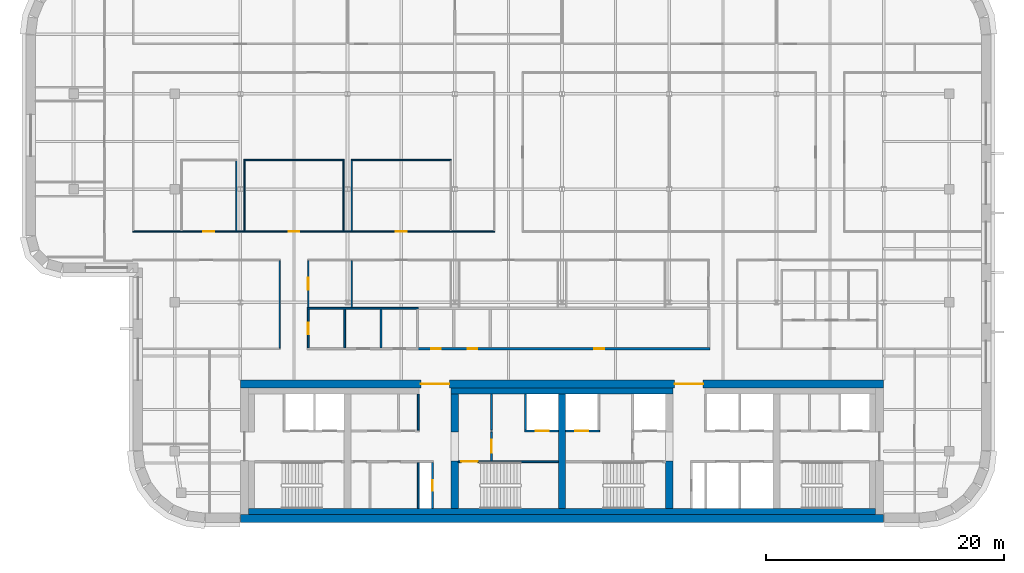
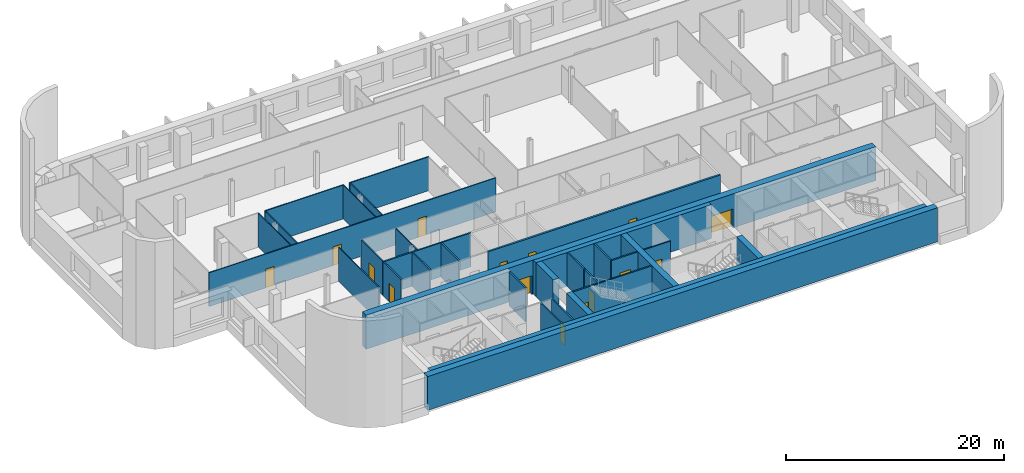
# One storey, part 8 of 17: 32 walls, 15 doors, 15 openings.
"""IFC4 building model written with IfcOpenShell, lengths in metres."""

from ifc_helpers import new_model, si_unit, direction, frame, frame_2d, origin, place, context, subcontext, project, spatial, rectangle, extrude, material, layer, layer_set, type_object, element, fill, save


model = new_model("IFC4")

# Units and contexts
model_context = context("Model", 3, precision=1e-05, world=origin(), true_north=direction((0.0, 1.0)))
body_context = subcontext(model_context, "Body", "Model", "MODEL_VIEW")
ifc_project = project(units=[si_unit("LENGTHUNIT", "METRE"), si_unit("AREAUNIT", "SQUARE_METRE"), si_unit("VOLUMEUNIT", "CUBIC_METRE"), si_unit("PLANEANGLEUNIT", "RADIAN"), si_unit("MASSUNIT", "GRAM", prefix="KILO")], contexts=[model_context])

# Site, building, storey
site_placement = place(None, origin())
site = spatial("IfcSite", under=ifc_project, at=site_placement, CompositionType="ELEMENT")
building_placement = place(site_placement, origin())
building = spatial("IfcBuilding", under=site, at=building_placement, Name="Zellij Exchange Tower", CompositionType="ELEMENT")
storey_placement = place(building_placement, frame((0.0, 0.0, 232.5)))
storey = spatial("IfcBuildingStorey", under=building, at=storey_placement, Name="L54", CompositionType="ELEMENT", Elevation=232.5)

# Walls
ifc_material_1 = material(Name="Concrete C50/60", Category="concrete")
ifc_layer_1 = layer(ifc_material_1, 0.60009765625)
ifc_layer_set_1 = layer_set([ifc_layer_1], Name="Concrete C50/60")
wall_type_1 = type_object("IfcWallType", Name="CORE-CW 600 C50/60", PredefinedType="SHEAR", material=ifc_layer_set_1)
wall_1_placement = place(storey_placement, frame((-9.0, -12.800048828125, 0.0), z_axis=(0.0, 0.0, 1.0), x_axis=(0.0, 1.0, 0.0)))
element("IfcWall", 1, at=wall_1_placement, inside=storey, type_object=wall_type_1, Name="Core cross wall pier x -9 a L54", PredefinedType="SHEAR", context=body_context, shape_type="SweptSolid", body=[
    extrude(rectangle(XDim=4.0, YDim=0.60009765625, at=frame_2d((2.0, 0.0))), origin(), (0.0, 0.0, 1.0), 3.800048828125),
])
wall_2_placement = place(storey_placement, frame((-9.0, -6.375, 0.0), z_axis=(0.0, 0.0, 1.0), x_axis=(0.0, 1.0, 0.0)))
element("IfcWall", 2, at=wall_2_placement, inside=storey, type_object=wall_type_1, Name="Core cross wall pier x -9 b L54", PredefinedType="SHEAR", context=body_context, shape_type="SweptSolid", body=[
    extrude(rectangle(XDim=3.175048828125, YDim=0.60009765625, at=frame_2d((1.58740234375, 0.0))), origin(), (0.0, 0.0, 1.0), 3.800048828125),
])
wall_3_placement = place(storey_placement, frame((0.0, -12.800048828125, 0.0), z_axis=(0.0, 0.0, 1.0), x_axis=(0.0, 1.0, 0.0)))
element("IfcWall", 3, at=wall_3_placement, inside=storey, type_object=wall_type_1, Name="Core cross wall x 0 L54", PredefinedType="SHEAR", context=body_context, shape_type="SweptSolid", body=[
    extrude(rectangle(XDim=9.60009765625, YDim=0.60009765625, at=frame_2d((4.800048828125, 0.0))), origin(), (0.0, 0.0, 1.0), 3.800048828125),
])
wall_4_placement = place(storey_placement, frame((9.0, -12.800048828125, 0.0), z_axis=(0.0, 0.0, 1.0), x_axis=(0.0, 1.0, 0.0)))
element("IfcWall", 4, at=wall_4_placement, inside=storey, type_object=wall_type_1, Name="Core cross wall pier x 9 a L54", PredefinedType="SHEAR", context=body_context, shape_type="SweptSolid", body=[
    extrude(rectangle(XDim=4.0, YDim=0.60009765625, at=frame_2d((2.0, 0.0))), origin(), (0.0, 0.0, 1.0), 3.800048828125),
])
ifc_material_2 = material(Name="Concrete C30/37", Category="concrete")
ifc_layer_2 = layer(ifc_material_2, 0.5)
ifc_layer_set_2 = layer_set([ifc_layer_2], Name="Concrete C30/37")
wall_type_2 = type_object("IfcWallType", Name="CORE-LW 500 C30/37", PredefinedType="SHEAR", material=ifc_layer_set_2)
wall_5_placement = place(storey_placement, frame((-9.300048828125, -2.949951171875, 0.0), z_axis=(0.0, 0.0, 1.0), x_axis=(1.0, 0.0, 0.0)))
element("IfcWall", 5, at=wall_5_placement, inside=storey, type_object=wall_type_2, Name="Core wall lining front.1 L54", PredefinedType="SHEAR", context=body_context, shape_type="SweptSolid", body=[
    extrude(rectangle(XDim=18.60009765625, YDim=0.5, at=frame_2d((9.300048828125, 0.0))), origin(), (0.0, 0.0, 1.0), 3.800048828125),
])
wall_6_placement = place(storey_placement, frame((-26.300048828125, -13.050048828125, 0.0), z_axis=(0.0, 0.0, 1.0), x_axis=(1.0, 0.0, 0.0)))
element("IfcWall", 6, at=wall_6_placement, inside=storey, type_object=wall_type_2, Name="Core wall lining rear.0 L54", PredefinedType="SHEAR", context=body_context, shape_type="SweptSolid", body=[
    extrude(rectangle(XDim=52.60009765625, YDim=0.5, at=frame_2d((26.300048828125, 0.0))), origin(), (0.0, 0.0, 1.0), 3.800048828125),
])

# Wall, opening, door
ifc_material_3 = material(Name="Gypsum shaft wall system")
ifc_layer_3 = layer(ifc_material_3, 0.14990234375)
ifc_layer_set_3 = layer_set([ifc_layer_3], Name="Gypsum shaft wall system")
wall_type_3 = type_object("IfcWallType", Name="CORE-PW 150 Firefighting lobby wall", PredefinedType="PARTITIONING", material=ifc_layer_set_3)
wall_7_placement = place(storey_placement, frame((-5.925048828125, -8.800048828125, 0.0), z_axis=(0.0, 0.0, 1.0), x_axis=(0.0, 1.0, 0.0)))
wall_7 = element("IfcWall", 7, at=wall_7_placement, inside=storey, type_object=wall_type_3, Name="Firefighting lobby wall L54", PredefinedType="PARTITIONING", context=body_context, shape_type="SweptSolid", body=[
    extrude(rectangle(XDim=2.425048828125, YDim=0.14990234375, at=frame_2d((1.21240234375, 0.0))), origin(), (0.0, 0.0, 1.0), 3.800048828125),
])
opening_1_placement = place(wall_7_placement, frame((0.662109375, 0.0, 0.0)))
opening_1 = element("IfcOpeningElement", 8, at=opening_1_placement, cuts=wall_7, Name="Opening CA-29.12", PredefinedType="OPENING", context=body_context, shape_type="SweptSolid", body=[
    extrude(rectangle(XDim=1.10009765625, YDim=2.10009765625, at=frame_2d((0.550048828125, 1.050048828125))), frame((0.0, 0.0869140625, 0.0), z_axis=(0.0, -1.0, 0.0), x_axis=(1.0, 0.0, 0.0)), (0.0, 0.0, 1.0), 0.173828125),
])
ifc_material_4 = material(Name="Hollow metal fire door")
door_type_1 = type_object("IfcDoorType", Name="CORE-D F Firefighting lobby door 1100x2100 1 HR", OperationType="NOTDEFINED", PredefinedType="DOOR", material=ifc_material_4)
door_1_placement = place(opening_1_placement, origin())
door_1 = element("IfcDoor", 9, at=door_1_placement, inside=storey, type_object=door_type_1, Name="Firefighting lobby door CA-29.12", OperationType="SINGLE_SWING_LEFT", OverallHeight=2.10009765625, OverallWidth=1.10009765625, PredefinedType="DOOR", context=body_context, shape_type="SweptSolid", body=[
    extrude(rectangle(XDim=1.10009765625, YDim=2.10009765625, at=frame_2d((0.550048828125, 1.050048828125))), frame((0.0, 0.02490234375, 0.0), z_axis=(0.0, -1.0, 0.0), x_axis=(1.0, 0.0, 0.0)), (0.0, 0.0, 1.0), 0.050048828125),
])
fill(opening_1, door_1)

# Walls
ifc_material_5 = material(Name="Gypsum board partition")
ifc_layer_4 = layer(ifc_material_5, 0.14990234375)
ifc_layer_set_4 = layer_set([ifc_layer_4], Name="Gypsum board partition")
wall_type_4 = type_object("IfcWallType", Name="CORE-PW 150 Lift lobby wall", PredefinedType="PARTITIONING", material=ifc_layer_set_4)
for number, where, z_axis, x_axis, name in (
    (10, (-12.074951171875, -6.22509765625, 0.0), (0.0, 0.0, 1.0), (0.0, 1.0, 0.0), "Lift lobby wall L54"),
    (11, (-5.925048828125, -6.22509765625, 0.0), (0.0, 0.0, 1.0), (0.0, 1.0, 0.0), "Lift lobby wall L54"),
):
    element("IfcWall", number, at=place(storey_placement, frame(where, z_axis=z_axis, x_axis=x_axis)), inside=storey, type_object=wall_type_4, Name=name, PredefinedType="PARTITIONING", context=body_context, shape_type="SweptSolid", body=[
        extrude(rectangle(XDim=3.025146484375, YDim=0.14990234375, at=frame_2d((1.5126953125, 0.0))), origin(), (0.0, 0.0, 1.0), 3.800048828125),
    ])

# Wall, opening, door
wall_8_placement = place(storey_placement, frame((-10.875, -12.800048828125, 0.0), z_axis=(0.0, 0.0, 1.0), x_axis=(0.0, 1.0, 0.0)))
wall_8 = element("IfcWall", 12, at=wall_8_placement, inside=storey, type_object=wall_type_4, Name="Lift lobby wall L54", PredefinedType="PARTITIONING", context=body_context, shape_type="SweptSolid", body=[
    extrude(rectangle(XDim=3.85009765625, YDim=0.14990234375, at=frame_2d((1.925048828125, 0.0))), origin(), (0.0, 0.0, 1.0), 3.800048828125),
])
opening_2_placement = place(wall_8_placement, frame((1.47509765625, 0.0, 0.0)))
opening_2 = element("IfcOpeningElement", 13, at=opening_2_placement, cuts=wall_8, Name="Opening CA-29.09", PredefinedType="OPENING", context=body_context, shape_type="SweptSolid", body=[
    extrude(rectangle(XDim=0.89990234375, YDim=2.10009765625, at=frame_2d((0.449951171875, 1.050048828125))), frame((0.0, 0.0869140625, 0.0), z_axis=(0.0, -1.0, 0.0), x_axis=(1.0, 0.0, 0.0)), (0.0, 0.0, 1.0), 0.173828125),
])
door_type_2 = type_object("IfcDoorType", Name="CORE-D RD Riser door 900x2100 1.5 HR", OperationType="NOTDEFINED", PredefinedType="DOOR", material=ifc_material_4)
door_2_placement = place(opening_2_placement, origin())
door_2 = element("IfcDoor", 14, at=door_2_placement, inside=storey, type_object=door_type_2, Name="Riser door CA-29.09", OperationType="SINGLE_SWING_RIGHT", OverallHeight=2.10009765625, OverallWidth=0.89990234375, PredefinedType="DOOR", context=body_context, shape_type="SweptSolid", body=[
    extrude(rectangle(XDim=0.89990234375, YDim=2.10009765625, at=frame_2d((0.449951171875, 1.050048828125))), frame((0.0, 0.02490234375, 0.0), z_axis=(0.0, -1.0, 0.0), x_axis=(1.0, 0.0, 0.0)), (0.0, 0.0, 1.0), 0.050048828125),
])
fill(opening_2, door_2)

# Walls
wall_9_placement = place(storey_placement, frame((-12.074951171875, -12.800048828125, 0.0), z_axis=(0.0, 0.0, 1.0), x_axis=(0.0, 1.0, 0.0)))
element("IfcWall", 15, at=wall_9_placement, inside=storey, type_object=wall_type_4, Name="Lift lobby wall L54", PredefinedType="PARTITIONING", context=body_context, shape_type="SweptSolid", body=[
    extrude(rectangle(XDim=3.85009765625, YDim=0.14990234375, at=frame_2d((1.925048828125, 0.0))), origin(), (0.0, 0.0, 1.0), 3.800048828125),
])
ifc_layer_5 = layer(ifc_material_3, 0.14990234375)
ifc_layer_set_5 = layer_set([ifc_layer_5], Name="Gypsum shaft wall system")
wall_type_5 = type_object("IfcWallType", Name="CORE-PW 150 Lift shaft wall", PredefinedType="PARTITIONING", material=ifc_layer_set_5)
wall_10_placement = place(storey_placement, frame((-3.074951171875, -6.22509765625, 0.0), z_axis=(0.0, 0.0, 1.0), x_axis=(0.0, 1.0, 0.0)))
element("IfcWall", 16, at=wall_10_placement, inside=storey, type_object=wall_type_5, Name="Lift shaft wall L54", PredefinedType="PARTITIONING", context=body_context, shape_type="SweptSolid", body=[
    extrude(rectangle(XDim=3.025146484375, YDim=0.14990234375, at=frame_2d((1.5126953125, 0.0))), origin(), (0.0, 0.0, 1.0), 3.800048828125),
])

# Wall, opening, door
wall_11_placement = place(storey_placement, frame((-3.14990234375, -6.300048828125, 0.0), z_axis=(0.0, 0.0, 1.0), x_axis=(1.0, 0.0, 0.0)))
wall_11 = element("IfcWall", 17, at=wall_11_placement, inside=storey, type_object=wall_type_5, Name="Lift shaft wall L54", PredefinedType="PARTITIONING", context=body_context, shape_type="SweptSolid", body=[
    extrude(rectangle(XDim=2.849853515625, YDim=0.14990234375, at=frame_2d((1.4248046875, 0.0))), origin(), (0.0, 0.0, 1.0), 3.800048828125),
])
opening_3_placement = place(wall_11_placement, frame((0.949951171875, 0.0, 0.0)))
opening_3 = element("IfcOpeningElement", 18, at=opening_3_placement, cuts=wall_11, Name="Opening CA-29.13", PredefinedType="OPENING", context=body_context, shape_type="SweptSolid", body=[
    extrude(rectangle(XDim=1.10009765625, YDim=2.10009765625, at=frame_2d((0.550048828125, 1.050048828125))), frame((0.0, 0.0869140625, 0.0), z_axis=(0.0, -1.0, 0.0), x_axis=(1.0, 0.0, 0.0)), (0.0, 0.0, 1.0), 0.173828125),
])
door_type_3 = type_object("IfcDoorType", Name="CORE-D LD Lift landing door 1100x2100 1.5 HR", OperationType="NOTDEFINED", PredefinedType="DOOR", material=ifc_material_4)
door_3_placement = place(opening_3_placement, origin())
door_3 = element("IfcDoor", 19, at=door_3_placement, inside=storey, type_object=door_type_3, Name="Lift landing door CA-29.13", OperationType="SLIDING_TO_LEFT", OverallHeight=2.10009765625, OverallWidth=1.10009765625, PredefinedType="DOOR", context=body_context, shape_type="SweptSolid", body=[
    extrude(rectangle(XDim=1.10009765625, YDim=2.10009765625, at=frame_2d((0.550048828125, 1.050048828125))), frame((0.0, 0.02490234375, 0.0), z_axis=(0.0, -1.0, 0.0), x_axis=(1.0, 0.0, 0.0)), (0.0, 0.0, 1.0), 0.050048828125),
])
fill(opening_3, door_3)

wall_12_placement = place(storey_placement, frame((0.300048828125, -6.300048828125, 0.0), z_axis=(0.0, 0.0, 1.0), x_axis=(1.0, 0.0, 0.0)))
wall_12 = element("IfcWall", 20, at=wall_12_placement, inside=storey, type_object=wall_type_5, Name="Lift shaft wall L54", PredefinedType="PARTITIONING", context=body_context, shape_type="SweptSolid", body=[
    extrude(rectangle(XDim=2.849853515625, YDim=0.14990234375, at=frame_2d((1.4248046875, 0.0))), origin(), (0.0, 0.0, 1.0), 3.800048828125),
])
opening_4_placement = place(wall_12_placement, frame((0.800048828125, 0.0, 0.0)))
opening_4 = element("IfcOpeningElement", 21, at=opening_4_placement, cuts=wall_12, Name="Opening CA-29.14", PredefinedType="OPENING", context=body_context, shape_type="SweptSolid", body=[
    extrude(rectangle(XDim=1.10009765625, YDim=2.10009765625, at=frame_2d((0.550048828125, 1.050048828125))), frame((0.0, 0.0869140625, 0.0), z_axis=(0.0, -1.0, 0.0), x_axis=(1.0, 0.0, 0.0)), (0.0, 0.0, 1.0), 0.173828125),
])
door_4_placement = place(opening_4_placement, origin())
door_4 = element("IfcDoor", 22, at=door_4_placement, inside=storey, type_object=door_type_3, Name="Lift landing door CA-29.14", OperationType="SLIDING_TO_RIGHT", OverallHeight=2.10009765625, OverallWidth=1.10009765625, PredefinedType="DOOR", context=body_context, shape_type="SweptSolid", body=[
    extrude(rectangle(XDim=1.10009765625, YDim=2.10009765625, at=frame_2d((0.550048828125, 1.050048828125))), frame((0.0, 0.02490234375, 0.0), z_axis=(0.0, -1.0, 0.0), x_axis=(1.0, 0.0, 0.0)), (0.0, 0.0, 1.0), 0.050048828125),
])
fill(opening_4, door_4)

# Wall, openings, doors
ifc_layer_6 = layer(ifc_material_1, 0.699951171875)
ifc_layer_set_6 = layer_set([ifc_layer_6], Name="Concrete C50/60")
wall_type_6 = type_object("IfcWallType", Name="CORE-SW 700 C50/60", PredefinedType="SHEAR", material=ifc_layer_set_6)
wall_13_placement = place(storey_placement, frame((-27.0, -2.35009765625, 0.0), z_axis=(0.0, 0.0, 1.0), x_axis=(1.0, 0.0, 0.0)))
wall_13 = element("IfcWall", 23, at=wall_13_placement, inside=storey, type_object=wall_type_6, Name="Core shear wall front L54", PredefinedType="SHEAR", context=body_context, shape_type="SweptSolid", body=[
    extrude(rectangle(XDim=54.0, YDim=0.699951171875, at=frame_2d((27.0, 0.0))), origin(), (0.0, 0.0, 1.0), 3.800048828125),
])
opening_5_placement = place(wall_13_placement, frame((15.14990234375, 0.0, 0.0)))
opening_5 = element("IfcOpeningElement", 24, at=opening_5_placement, cuts=wall_13, Name="Opening CA-29.10", PredefinedType="OPENING", context=body_context, shape_type="SweptSolid", body=[
    extrude(rectangle(XDim=2.39990234375, YDim=2.10009765625, at=frame_2d((1.199951171875, 1.050048828125))), frame((0.0, 0.36181640625, 0.0), z_axis=(0.0, -1.0, 0.0), x_axis=(1.0, 0.0, 0.0)), (0.0, 0.0, 1.0), 0.723876953125),
])
opening_6_placement = place(wall_13_placement, frame((36.449951171875, 0.0, 0.0)))
opening_6 = element("IfcOpeningElement", 25, at=opening_6_placement, cuts=wall_13, Name="Opening CA-29.18", PredefinedType="OPENING", context=body_context, shape_type="SweptSolid", body=[
    extrude(rectangle(XDim=2.39990234375, YDim=2.10009765625, at=frame_2d((1.199951171875, 1.050048828125))), frame((0.0, 0.36181640625, 0.0), z_axis=(0.0, -1.0, 0.0), x_axis=(1.0, 0.0, 0.0)), (0.0, 0.0, 1.0), 0.723876953125),
])
door_type_4 = type_object("IfcDoorType", Name="CORE-D CE Core entrance door 2400x2100 20 MIN", OperationType="NOTDEFINED", PredefinedType="DOOR", material=ifc_material_4)
door_5_placement = place(opening_5_placement, origin())
door_5 = element("IfcDoor", 26, at=door_5_placement, inside=storey, type_object=door_type_4, Name="Core entrance door CA-29.10", OperationType="DOUBLE_DOOR_SINGLE_SWING", OverallHeight=2.10009765625, OverallWidth=2.39990234375, PredefinedType="DOOR", context=body_context, shape_type="SweptSolid", body=[
    extrude(rectangle(XDim=2.39990234375, YDim=2.10009765625, at=frame_2d((1.199951171875, 1.050048828125))), frame((0.0, 0.02490234375, 0.0), z_axis=(0.0, -1.0, 0.0), x_axis=(1.0, 0.0, 0.0)), (0.0, 0.0, 1.0), 0.050048828125),
])
fill(opening_5, door_5)
door_6_placement = place(opening_6_placement, origin())
door_6 = element("IfcDoor", 27, at=door_6_placement, inside=storey, type_object=door_type_4, Name="Core entrance door CA-29.18", OperationType="DOUBLE_DOOR_SINGLE_SWING", OverallHeight=2.10009765625, OverallWidth=2.39990234375, PredefinedType="DOOR", context=body_context, shape_type="SweptSolid", body=[
    extrude(rectangle(XDim=2.39990234375, YDim=2.10009765625, at=frame_2d((1.199951171875, 1.050048828125))), frame((0.0, 0.02490234375, 0.0), z_axis=(0.0, -1.0, 0.0), x_axis=(1.0, 0.0, 0.0)), (0.0, 0.0, 1.0), 0.050048828125),
])
fill(opening_6, door_6)

# Wall
wall_14_placement = place(storey_placement, frame((-27.0, -13.64990234375, 0.0), z_axis=(0.0, 0.0, 1.0), x_axis=(1.0, 0.0, 0.0)))
element("IfcWall", 28, at=wall_14_placement, inside=storey, type_object=wall_type_6, Name="Core shear wall rear L54", PredefinedType="SHEAR", context=body_context, shape_type="SweptSolid", body=[
    extrude(rectangle(XDim=54.0, YDim=0.699951171875, at=frame_2d((27.0, 0.0))), origin(), (0.0, 0.0, 1.0), 3.800048828125),
])

# Wall, opening, door
ifc_layer_7 = layer(ifc_material_1, 0.14990234375)
ifc_layer_set_7 = layer_set([ifc_layer_7], Name="Concrete C50/60")
wall_type_7 = type_object("IfcWallType", Name="CORE-SWS 150 C50/60", PredefinedType="SHEAR", material=ifc_layer_set_7)
wall_15_placement = place(storey_placement, frame((-8.699951171875, -8.875, 0.0), z_axis=(0.0, 0.0, 1.0), x_axis=(1.0, 0.0, 0.0)))
wall_15 = element("IfcWall", 29, at=wall_15_placement, inside=storey, type_object=wall_type_7, Name="Stair enclosure wall L54", PredefinedType="SHEAR", context=body_context, shape_type="SweptSolid", body=[
    extrude(rectangle(XDim=8.39990234375, YDim=0.14990234375, at=frame_2d((4.199951171875, 0.0))), origin(), (0.0, 0.0, 1.0), 3.800048828125),
])
opening_7_placement = place(wall_15_placement, frame((0.22509765625, 0.0, 0.0)))
opening_7 = element("IfcOpeningElement", 30, at=opening_7_placement, cuts=wall_15, Name="Opening CA-29.11", PredefinedType="OPENING", context=body_context, shape_type="SweptSolid", body=[
    extrude(rectangle(XDim=1.39990234375, YDim=2.10009765625, at=frame_2d((0.699951171875, 1.050048828125))), frame((0.0, 0.0869140625, 0.0), z_axis=(0.0, -1.0, 0.0), x_axis=(1.0, 0.0, 0.0)), (0.0, 0.0, 1.0), 0.173828125),
])
door_type_5 = type_object("IfcDoorType", Name="CORE-D SD Stair door 1400x2100 1.5 HR", OperationType="NOTDEFINED", PredefinedType="DOOR", material=ifc_material_4)
door_7_placement = place(opening_7_placement, origin())
door_7 = element("IfcDoor", 31, at=door_7_placement, inside=storey, type_object=door_type_5, Name="Stair door CA-29.11", OperationType="DOUBLE_DOOR_SINGLE_SWING", OverallHeight=2.10009765625, OverallWidth=1.39990234375, PredefinedType="DOOR", context=body_context, shape_type="SweptSolid", body=[
    extrude(rectangle(XDim=1.39990234375, YDim=2.10009765625, at=frame_2d((0.699951171875, 1.050048828125))), frame((0.0, 0.02490234375, 0.0), z_axis=(0.0, -1.0, 0.0), x_axis=(1.0, 0.0, 0.0)), (0.0, 0.0, 1.0), 0.050048828125),
])
fill(opening_7, door_7)

# Wall, openings, doors
ifc_material_6 = material(Name="Blockwork partition", Category="masonry")
ifc_layer_8 = layer(ifc_material_6, 0.199951171875)
ifc_layer_set_8 = layer_set([ifc_layer_8], Name="Blockwork partition")
wall_type_8 = type_object("IfcWallType", Name="FIT-BLOCKWORK-200", PredefinedType="PARTITIONING", material=ifc_layer_set_8)
wall_16_placement = place(storey_placement, frame((-12.215087890625, 0.60009765625, 0.0), z_axis=(0.0, 0.0, 1.0), x_axis=(1.0, 0.0, 0.0)))
wall_16 = element("IfcWall", 32, at=wall_16_placement, inside=storey, type_object=wall_type_8, Name="FIT-BLOCKWORK-200 010", PredefinedType="PARTITIONING", context=body_context, shape_type="SweptSolid", body=[
    extrude(rectangle(XDim=24.614990234375, YDim=0.199951171875, at=frame_2d((12.3076171875, 0.0))), origin(), (0.0, 0.0, 1.0), 3.800048828125),
])
opening_8_placement = place(wall_16_placement, frame((1.22900390625, 0.0, 0.0)))
opening_8 = element("IfcOpeningElement", 33, at=opening_8_placement, cuts=wall_16, Name="Opening O4B.05", PredefinedType="OPENING", context=body_context, shape_type="SweptSolid", body=[
    extrude(rectangle(XDim=0.800048828125, YDim=2.10009765625, at=frame_2d((0.39990234375, 1.050048828125))), frame((0.0, 0.11181640625, 0.0), z_axis=(0.0, -1.0, 0.0), x_axis=(1.0, 0.0, 0.0)), (0.0, 0.0, 1.0), 0.223876953125),
])
opening_9_placement = place(wall_16_placement, frame((4.282958984375, 0.0, 0.0)))
opening_9 = element("IfcOpeningElement", 34, at=opening_9_placement, cuts=wall_16, Name="Opening O4B.06", PredefinedType="OPENING", context=body_context, shape_type="SweptSolid", body=[
    extrude(rectangle(XDim=0.800048828125, YDim=2.10009765625, at=frame_2d((0.39990234375, 1.050048828125))), frame((0.0, 0.11181640625, 0.0), z_axis=(0.0, -1.0, 0.0), x_axis=(1.0, 0.0, 0.0)), (0.0, 0.0, 1.0), 0.223876953125),
])
opening_10_placement = place(wall_16_placement, frame((14.93798828125, 0.0, 0.0)))
opening_10 = element("IfcOpeningElement", 35, at=opening_10_placement, cuts=wall_16, Name="Opening O4B.07", PredefinedType="OPENING", context=body_context, shape_type="SweptSolid", body=[
    extrude(rectangle(XDim=0.800048828125, YDim=2.10009765625, at=frame_2d((0.39990234375, 1.050048828125))), frame((0.0, 0.11181640625, 0.0), z_axis=(0.0, -1.0, 0.0), x_axis=(1.0, 0.0, 0.0)), (0.0, 0.0, 1.0), 0.223876953125),
])
ifc_material_7 = material(Name="Timber door set", Category="wood")
door_type_6 = type_object("IfcDoorType", Name="FIT-D6-SERVICE-800X2100", OperationType="SINGLE_SWING_LEFT", PredefinedType="DOOR", material=ifc_material_7)
door_8_placement = place(opening_8_placement, origin())
door_8 = element("IfcDoor", 36, at=door_8_placement, inside=storey, type_object=door_type_6, Name="Door O4B.05", OperationType="SINGLE_SWING_LEFT", OverallHeight=2.10009765625, OverallWidth=0.800048828125, PredefinedType="DOOR", context=body_context, shape_type="SweptSolid", body=[
    extrude(rectangle(XDim=0.800048828125, YDim=2.10009765625, at=frame_2d((0.39990234375, 1.050048828125))), frame((0.0, 0.02490234375, 0.0), z_axis=(0.0, -1.0, 0.0), x_axis=(1.0, 0.0, 0.0)), (0.0, 0.0, 1.0), 0.050048828125),
])
fill(opening_8, door_8)
door_9_placement = place(opening_9_placement, origin())
door_9 = element("IfcDoor", 37, at=door_9_placement, inside=storey, type_object=door_type_6, Name="Door O4B.06", OperationType="SINGLE_SWING_LEFT", OverallHeight=2.10009765625, OverallWidth=0.800048828125, PredefinedType="DOOR", context=body_context, shape_type="SweptSolid", body=[
    extrude(rectangle(XDim=0.800048828125, YDim=2.10009765625, at=frame_2d((0.39990234375, 1.050048828125))), frame((0.0, 0.02490234375, 0.0), z_axis=(0.0, -1.0, 0.0), x_axis=(1.0, 0.0, 0.0)), (0.0, 0.0, 1.0), 0.050048828125),
])
fill(opening_9, door_9)
door_10_placement = place(opening_10_placement, origin())
door_10 = element("IfcDoor", 38, at=door_10_placement, inside=storey, type_object=door_type_6, Name="Door O4B.07", OperationType="SINGLE_SWING_RIGHT", OverallHeight=2.10009765625, OverallWidth=0.800048828125, PredefinedType="DOOR", context=body_context, shape_type="SweptSolid", body=[
    extrude(rectangle(XDim=0.800048828125, YDim=2.10009765625, at=frame_2d((0.39990234375, 1.050048828125))), frame((0.0, 0.02490234375, 0.0), z_axis=(0.0, -1.0, 0.0), x_axis=(1.0, 0.0, 0.0)), (0.0, 0.0, 1.0), 0.050048828125),
])
fill(opening_10, door_10)

# Wall
ifc_material_8 = material(Name="Gypsum board partition on steel studs", Category="steel")
ifc_layer_9 = layer(ifc_material_8, 0.10009765625)
ifc_layer_set_9 = layer_set([ifc_layer_9], Name="Gypsum board partition on steel studs")
wall_type_9 = type_object("IfcWallType", Name="FIT-PARTITION-100", PredefinedType="PARTITIONING", material=ifc_layer_set_9)
wall_17_placement = place(storey_placement, frame((-23.699951171875, 0.64990234375, 0.0), z_axis=(0.0, 0.0, 1.0), x_axis=(0.0, 1.0, 0.0)))
element("IfcWall", 39, at=wall_17_placement, inside=storey, type_object=wall_type_9, Name="FIT-PARTITION-100 005", PredefinedType="PARTITIONING", context=body_context, shape_type="SweptSolid", body=[
    extrude(rectangle(XDim=7.35009765625, YDim=0.10009765625, at=frame_2d((3.675048828125, 0.0))), origin(), (0.0, 0.0, 1.0), 3.800048828125),
])

# Wall, opening, door
wall_18_placement = place(storey_placement, frame((-21.300048828125, 4.074951171875, 0.0), z_axis=(0.0, 0.0, 1.0), x_axis=(0.0, 1.0, 0.0)))
wall_18 = element("IfcWall", 40, at=wall_18_placement, inside=storey, type_object=wall_type_9, Name="FIT-PARTITION-100 023", PredefinedType="PARTITIONING", context=body_context, shape_type="SweptSolid", body=[
    extrude(rectangle(XDim=3.925048828125, YDim=0.10009765625, at=frame_2d((1.96240234375, 0.0))), origin(), (0.0, 0.0, 1.0), 3.800048828125),
])
opening_11_placement = place(wall_18_placement, frame((1.47509765625, 0.0, 0.0)))
opening_11 = element("IfcOpeningElement", 41, at=opening_11_placement, cuts=wall_18, Name="Opening O4B.13", PredefinedType="OPENING", context=body_context, shape_type="SweptSolid", body=[
    extrude(rectangle(XDim=1.0, YDim=2.10009765625, at=frame_2d((0.5, 1.050048828125))), frame((0.0, 0.06201171875, 0.0), z_axis=(0.0, -1.0, 0.0), x_axis=(1.0, 0.0, 0.0)), (0.0, 0.0, 1.0), 0.1240234375),
])
door_type_7 = type_object("IfcDoorType", Name="FIT-D2-WIDE-1000X2100", OperationType="SINGLE_SWING_LEFT", PredefinedType="DOOR", material=ifc_material_7)
door_11_placement = place(opening_11_placement, origin())
door_11 = element("IfcDoor", 42, at=door_11_placement, inside=storey, type_object=door_type_7, Name="Door O4B.13", OperationType="SINGLE_SWING_RIGHT", OverallHeight=2.10009765625, OverallWidth=1.0, PredefinedType="DOOR", context=body_context, shape_type="SweptSolid", body=[
    extrude(rectangle(XDim=1.0, YDim=2.10009765625, at=frame_2d((0.5, 1.050048828125))), frame((0.0, 0.02490234375, 0.0), z_axis=(0.0, -1.0, 0.0), x_axis=(1.0, 0.0, 0.0)), (0.0, 0.0, 1.0), 0.050048828125),
])
fill(opening_11, door_11)

# Wall
wall_19_placement = place(storey_placement, frame((-17.64990234375, 4.074951171875, 0.0), z_axis=(0.0, 0.0, 1.0), x_axis=(0.0, 1.0, 0.0)))
element("IfcWall", 43, at=wall_19_placement, inside=storey, type_object=wall_type_9, Name="FIT-PARTITION-100 024", PredefinedType="PARTITIONING", context=body_context, shape_type="SweptSolid", body=[
    extrude(rectangle(XDim=3.925048828125, YDim=0.10009765625, at=frame_2d((1.96240234375, 0.0))), origin(), (0.0, 0.0, 1.0), 3.800048828125),
])

# Wall, openings, doors
wall_20_placement = place(storey_placement, frame((-36.050048828125, 10.449951171875, 0.0), z_axis=(0.0, 0.0, 1.0), x_axis=(1.0, 0.0, 0.0)))
wall_20 = element("IfcWall", 44, at=wall_20_placement, inside=storey, type_object=wall_type_9, Name="FIT-PARTITION-100 040", PredefinedType="PARTITIONING", context=body_context, shape_type="SweptSolid", body=[
    extrude(rectangle(XDim=30.400146484375, YDim=0.10009765625, at=frame_2d((15.2001953125, 0.0))), origin(), (0.0, 0.0, 1.0), 3.800048828125),
])
opening_12_placement = place(wall_20_placement, frame((5.949951171875, 0.0, 0.0)))
opening_12 = element("IfcOpeningElement", 45, at=opening_12_placement, cuts=wall_20, Name="Opening O4B.20", PredefinedType="OPENING", context=body_context, shape_type="SweptSolid", body=[
    extrude(rectangle(XDim=0.89990234375, YDim=2.10009765625, at=frame_2d((0.449951171875, 1.050048828125))), frame((0.0, 0.06201171875, 0.0), z_axis=(0.0, -1.0, 0.0), x_axis=(1.0, 0.0, 0.0)), (0.0, 0.0, 1.0), 0.1240234375),
])
opening_13_placement = place(wall_20_placement, frame((13.10009765625, 0.0, 0.0)))
opening_13 = element("IfcOpeningElement", 46, at=opening_13_placement, cuts=wall_20, Name="Opening O4B.21", PredefinedType="OPENING", context=body_context, shape_type="SweptSolid", body=[
    extrude(rectangle(XDim=0.89990234375, YDim=2.10009765625, at=frame_2d((0.449951171875, 1.050048828125))), frame((0.0, 0.06201171875, 0.0), z_axis=(0.0, -1.0, 0.0), x_axis=(1.0, 0.0, 0.0)), (0.0, 0.0, 1.0), 0.1240234375),
])
opening_14_placement = place(wall_20_placement, frame((22.10009765625, 0.0, 0.0)))
opening_14 = element("IfcOpeningElement", 47, at=opening_14_placement, cuts=wall_20, Name="Opening O4B.22", PredefinedType="OPENING", context=body_context, shape_type="SweptSolid", body=[
    extrude(rectangle(XDim=0.89990234375, YDim=2.10009765625, at=frame_2d((0.449951171875, 1.050048828125))), frame((0.0, 0.06201171875, 0.0), z_axis=(0.0, -1.0, 0.0), x_axis=(1.0, 0.0, 0.0)), (0.0, 0.0, 1.0), 0.1240234375),
])
door_type_8 = type_object("IfcDoorType", Name="FIT-D1-ROOM-900X2100", OperationType="SINGLE_SWING_LEFT", PredefinedType="DOOR", material=ifc_material_7)
door_12_placement = place(opening_12_placement, origin())
door_12 = element("IfcDoor", 48, at=door_12_placement, inside=storey, type_object=door_type_8, Name="Door O4B.20", OperationType="SINGLE_SWING_LEFT", OverallHeight=2.10009765625, OverallWidth=0.89990234375, PredefinedType="DOOR", context=body_context, shape_type="SweptSolid", body=[
    extrude(rectangle(XDim=0.89990234375, YDim=2.10009765625, at=frame_2d((0.449951171875, 1.050048828125))), frame((0.0, 0.02490234375, 0.0), z_axis=(0.0, -1.0, 0.0), x_axis=(1.0, 0.0, 0.0)), (0.0, 0.0, 1.0), 0.050048828125),
])
fill(opening_12, door_12)
door_13_placement = place(opening_13_placement, origin())
door_13 = element("IfcDoor", 49, at=door_13_placement, inside=storey, type_object=door_type_8, Name="Door O4B.21", OperationType="SINGLE_SWING_RIGHT", OverallHeight=2.10009765625, OverallWidth=0.89990234375, PredefinedType="DOOR", context=body_context, shape_type="SweptSolid", body=[
    extrude(rectangle(XDim=0.89990234375, YDim=2.10009765625, at=frame_2d((0.449951171875, 1.050048828125))), frame((0.0, 0.02490234375, 0.0), z_axis=(0.0, -1.0, 0.0), x_axis=(1.0, 0.0, 0.0)), (0.0, 0.0, 1.0), 0.050048828125),
])
fill(opening_13, door_13)
door_14_placement = place(opening_14_placement, origin())
door_14 = element("IfcDoor", 50, at=door_14_placement, inside=storey, type_object=door_type_8, Name="Door O4B.22", OperationType="SINGLE_SWING_RIGHT", OverallHeight=2.10009765625, OverallWidth=0.89990234375, PredefinedType="DOOR", context=body_context, shape_type="SweptSolid", body=[
    extrude(rectangle(XDim=0.89990234375, YDim=2.10009765625, at=frame_2d((0.449951171875, 1.050048828125))), frame((0.0, 0.02490234375, 0.0), z_axis=(0.0, -1.0, 0.0), x_axis=(1.0, 0.0, 0.0)), (0.0, 0.0, 1.0), 0.050048828125),
])
fill(opening_14, door_14)

# Walls
for number, where, z_axis, x_axis, name in (
    (51, (-27.35009765625, 10.5, 0.0), (0.0, 0.0, 1.0), (0.0, 1.0, 0.0), "FIT-PARTITION-100 043"),
    (52, (-26.64990234375, 10.5, 0.0), (0.0, 0.0, 1.0), (0.0, 1.0, 0.0), "FIT-PARTITION-100 044"),
    (53, (-18.35009765625, 10.5, 0.0), (0.0, 0.0, 1.0), (0.0, 1.0, 0.0), "FIT-PARTITION-100 045"),
    (54, (-17.64990234375, 10.5, 0.0), (0.0, 0.0, 1.0), (0.0, 1.0, 0.0), "FIT-PARTITION-100 046"),
):
    element("IfcWall", number, at=place(storey_placement, frame(where, z_axis=z_axis, x_axis=x_axis)), inside=storey, type_object=wall_type_9, Name=name, PredefinedType="PARTITIONING", context=body_context, shape_type="SweptSolid", body=[
        extrude(rectangle(XDim=5.89990234375, YDim=0.10009765625, at=frame_2d((2.949951171875, 0.0))), origin(), (0.0, 0.0, 1.0), 3.800048828125),
    ])
for number, where, z_axis, x_axis, name in (
    (55, (-26.699951171875, 16.449951171875, 0.0), (0.0, 0.0, 1.0), (1.0, 0.0, 0.0), "FIT-PARTITION-100 060"),
    (56, (-17.699951171875, 16.449951171875, 0.0), (0.0, 0.0, 1.0), (1.0, 0.0, 0.0), "FIT-PARTITION-100 061"),
):
    element("IfcWall", number, at=place(storey_placement, frame(where, z_axis=z_axis, x_axis=x_axis)), inside=storey, type_object=wall_type_9, Name=name, PredefinedType="PARTITIONING", context=body_context, shape_type="SweptSolid", body=[
        extrude(rectangle(XDim=8.39990234375, YDim=0.10009765625, at=frame_2d((4.199951171875, 0.0))), origin(), (0.0, 0.0, 1.0), 3.800048828125),
    ])

# Wall, opening, door
ifc_material_9 = material(Name="Gypsum board shaft-wall partition", Category="gypsum")
ifc_layer_10 = layer(ifc_material_9, 0.14990234375)
ifc_layer_set_10 = layer_set([ifc_layer_10], Name="Gypsum board shaft-wall partition")
wall_type_10 = type_object("IfcWallType", Name="FIT-PARTITION-150-EI60", PredefinedType="PARTITIONING", material=ifc_layer_set_10)
wall_21_placement = place(storey_placement, frame((-21.300048828125, 0.675048828125, 0.0), z_axis=(0.0, 0.0, 1.0), x_axis=(0.0, 1.0, 0.0)))
wall_21 = element("IfcWall", 57, at=wall_21_placement, inside=storey, type_object=wall_type_10, Name="FIT-PARTITION-150-EI60 007", PredefinedType="PARTITIONING", context=body_context, shape_type="SweptSolid", body=[
    extrude(rectangle(XDim=3.25, YDim=0.14990234375, at=frame_2d((1.625, 0.0))), origin(), (0.0, 0.0, 1.0), 3.800048828125),
])
opening_15_placement = place(wall_21_placement, frame((1.125, 0.0, 0.0)))
opening_15 = element("IfcOpeningElement", 58, at=opening_15_placement, cuts=wall_21, Name="Opening O4B.09", PredefinedType="OPENING", context=body_context, shape_type="SweptSolid", body=[
    extrude(rectangle(XDim=1.0, YDim=2.10009765625, at=frame_2d((0.5, 1.050048828125))), frame((0.0, 0.0869140625, 0.0), z_axis=(0.0, -1.0, 0.0), x_axis=(1.0, 0.0, 0.0)), (0.0, 0.0, 1.0), 0.173828125),
])
ifc_material_10 = material(Name="Steel fire door set", Category="steel")
door_type_9 = type_object("IfcDoorType", Name="FIT-D4-FIRE-1000X2100", OperationType="SINGLE_SWING_LEFT", PredefinedType="DOOR", material=ifc_material_10)
door_15_placement = place(opening_15_placement, origin())
door_15 = element("IfcDoor", 59, at=door_15_placement, inside=storey, type_object=door_type_9, Name="Door O4B.09", OperationType="SINGLE_SWING_RIGHT", OverallHeight=2.10009765625, OverallWidth=1.0, PredefinedType="DOOR", context=body_context, shape_type="SweptSolid", body=[
    extrude(rectangle(XDim=1.0, YDim=2.10009765625, at=frame_2d((0.5, 1.050048828125))), frame((0.0, 0.02490234375, 0.0), z_axis=(0.0, -1.0, 0.0), x_axis=(1.0, 0.0, 0.0)), (0.0, 0.0, 1.0), 0.050048828125),
])
fill(opening_15, door_15)

# Walls
for number, where, z_axis, x_axis, name in (
    (60, (-18.239990234375, 0.675048828125, 0.0), (0.0, 0.0, 1.0), (0.0, 1.0, 0.0), "FIT-PARTITION-150-EI60 008"),
    (61, (-15.18994140625, 0.675048828125, 0.0), (0.0, 0.0, 1.0), (0.0, 1.0, 0.0), "FIT-PARTITION-150-EI60 009"),
):
    element("IfcWall", number, at=place(storey_placement, frame(where, z_axis=z_axis, x_axis=x_axis)), inside=storey, type_object=wall_type_10, Name=name, PredefinedType="PARTITIONING", context=body_context, shape_type="SweptSolid", body=[
        extrude(rectangle(XDim=3.25, YDim=0.14990234375, at=frame_2d((1.625, 0.0))), origin(), (0.0, 0.0, 1.0), 3.800048828125),
    ])
wall_22_placement = place(storey_placement, frame((-21.375, 4.0, 0.0), z_axis=(0.0, 0.0, 1.0), x_axis=(1.0, 0.0, 0.0)))
element("IfcWall", 62, at=wall_22_placement, inside=storey, type_object=wall_type_10, Name="FIT-PARTITION-150-EI60 022", PredefinedType="PARTITIONING", context=body_context, shape_type="SweptSolid", body=[
    extrude(rectangle(XDim=9.31005859375, YDim=0.14990234375, at=frame_2d((4.655029296875, 0.0))), origin(), (0.0, 0.0, 1.0), 3.800048828125),
])

save(model, "model.ifc")
